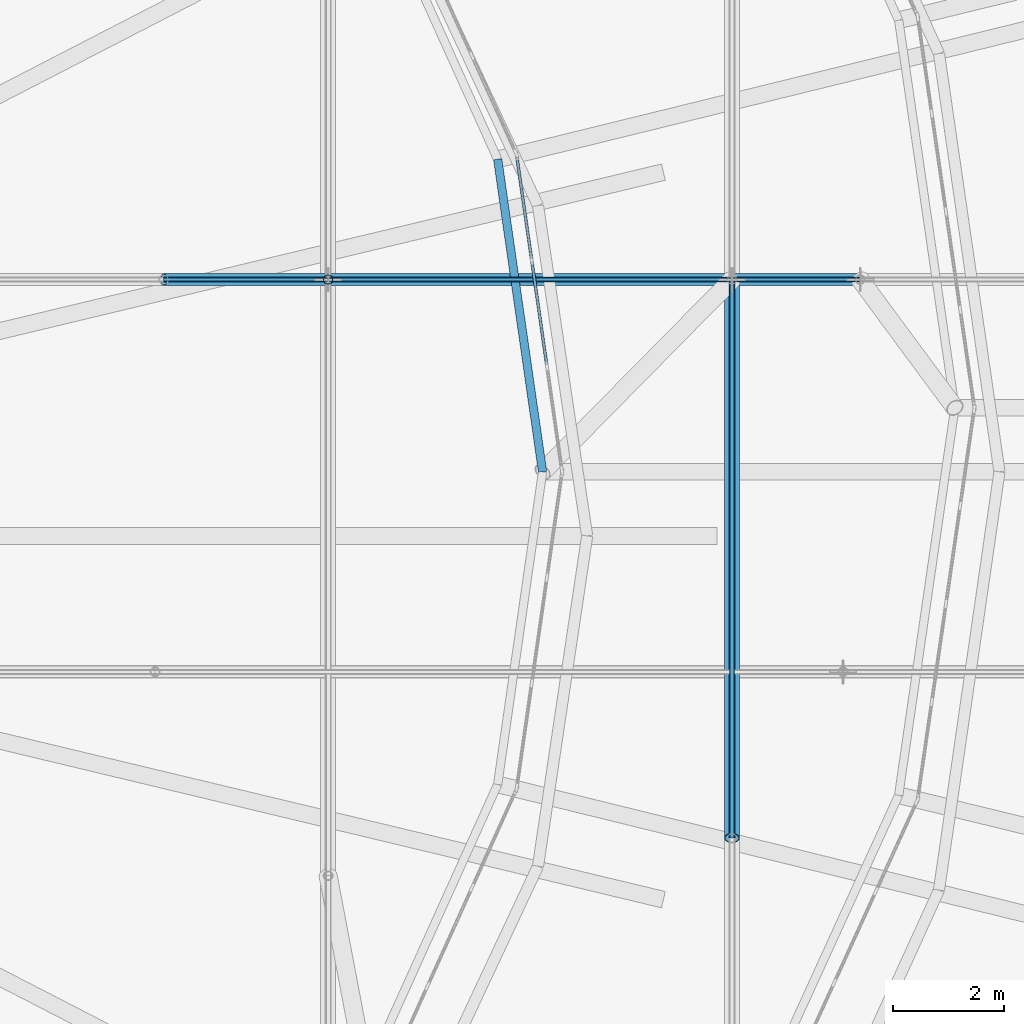
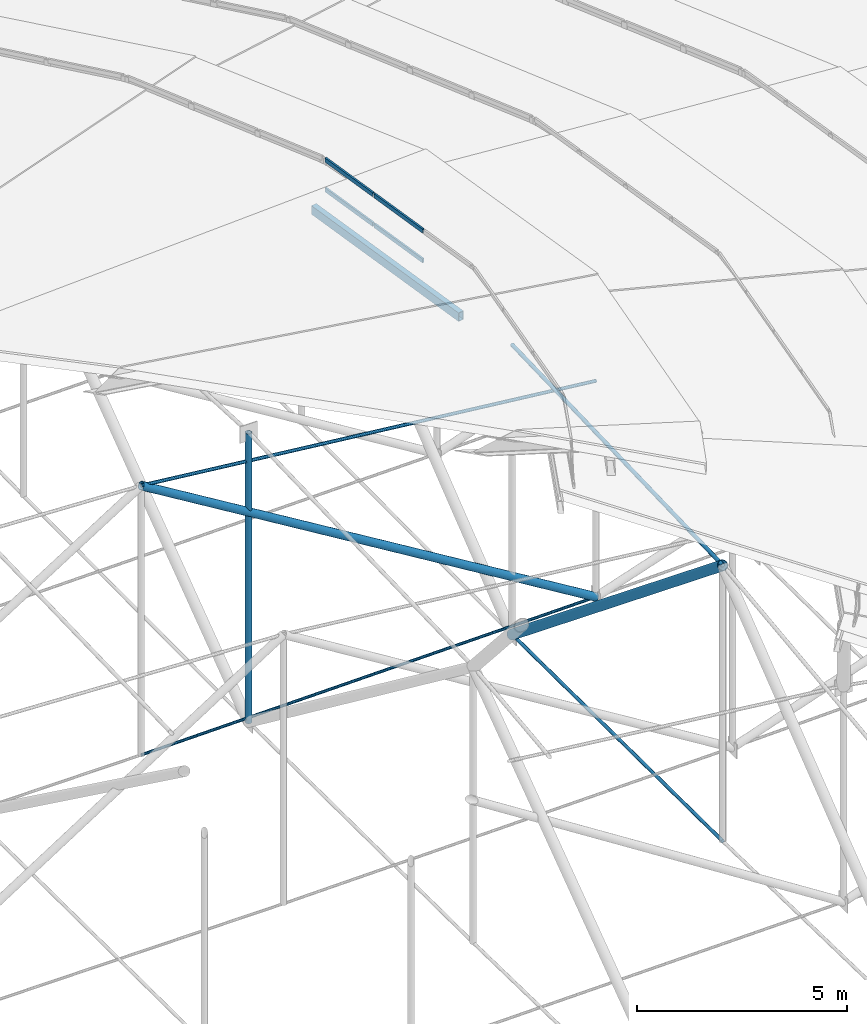
# One storey, part 87 of 173: 12 members, 1 element without a shape of its own.
"""IFC4 building model written with IfcOpenShell, lengths in metres."""

from ifc_helpers import new_model, si_unit, direction, frame, origin, origin_2d, place, context, subcontext, project, spatial, rectangle, hollow_rectangle, circle, hollow_circle, extrude, material, material_profile, profile_set, type_object, element, aggregate, save


model = new_model("IFC4")

# Units and contexts
model_context = context("Model", 3, precision=1e-05, world=origin(), true_north=direction((0.0, 1.0)))
body_context = subcontext(model_context, "Body", "Model", "MODEL_VIEW")
ifc_project = project(units=[si_unit("LENGTHUNIT", "METRE"), si_unit("AREAUNIT", "SQUARE_METRE"), si_unit("VOLUMEUNIT", "CUBIC_METRE"), si_unit("PLANEANGLEUNIT", "RADIAN"), si_unit("MASSUNIT", "GRAM", prefix="KILO")], contexts=[model_context])

# Site, building, storey
site_placement = place(None, origin())
site = spatial("IfcSite", under=ifc_project, at=site_placement, CompositionType="ELEMENT")
building_placement = place(site_placement, origin())
building = spatial("IfcBuilding", under=site, at=building_placement, Name="Glasvene Arena", CompositionType="ELEMENT")
storey_placement = place(building_placement, frame((0.0, 0.0, 28.800048828125)))
storey = spatial("IfcBuildingStorey", under=building, at=storey_placement, Name="RF", CompositionType="ELEMENT", Elevation=28.800048828125)

# Curtain wall, members
ifc_material_1 = material(Name="Low-emissivity laminated double glazing", Category="glass")
curtain_wall_type = type_object("IfcCurtainWallType", Name="CW-PET4-575x92", PredefinedType="USERDEFINED", material=ifc_material_1)
curtain_wall_placement = place(storey_placement, frame((111.64990234375, 69.550048828125, 0.0)))
curtain_wall = element("IfcCurtainWall", 1, at=curtain_wall_placement, inside=storey, type_object=curtain_wall_type, Name="Petal ring 4-5 clerestory curtain wall 01", ObjectType="CURTAIN WALL", PredefinedType="USERDEFINED")
ifc_material_2 = material(Name="Anodised architectural aluminium", Category="aluminium")
ifc_material_profile_1 = material_profile(ifc_material_2, rectangle(XDim=0.050048828125, YDim=0.1201171875, at=origin_2d()), Name="ALU TRANSOM 50x120")
ifc_profile_set_1 = profile_set([ifc_material_profile_1], Name="Anodised architectural aluminium")
member_type_1 = type_object("IfcMemberType", Name="CW-TRN-120", PredefinedType="USERDEFINED", material=ifc_profile_set_1)
member_1_placement = place(storey_placement, frame((111.373779296875, 71.47265625, 10.554931640625), z_axis=(-0.142098480585, 0.989852525286, 0.0), x_axis=(-0.989852525286, -0.142098480585, 0.0)))
member_1 = element("IfcMember", 2, at=member_1_placement, type_object=member_type_1, Name="CW-099 transom 2.1", ObjectType="TRANSOM", PredefinedType="USERDEFINED", context=body_context, shape_type="SweptSolid", body=[
    extrude(rectangle(XDim=0.050048828125, YDim=0.1201171875, at=origin_2d()), origin(), (0.0, 0.0, 1.0), 1.86767578125),
])
member_2_placement = place(storey_placement, frame((111.373779296875, 71.47265625, 11.4208984375), z_axis=(-0.142098480585, 0.989852525286, 0.0), x_axis=(-0.989852525286, -0.142098480585, 0.0)))
member_2 = element("IfcMember", 3, at=member_2_placement, type_object=member_type_1, Name="CW-099 transom 2.2", ObjectType="TRANSOM", PredefinedType="USERDEFINED", context=body_context, shape_type="SweptSolid", body=[
    extrude(rectangle(XDim=0.050048828125, YDim=0.1201171875, at=origin_2d()), origin(), (0.0, 0.0, 1.0), 1.86767578125),
])
member_3_placement = place(storey_placement, frame((111.101318359375, 73.370849609375, 10.554931640625), z_axis=(-0.14218191486, 0.989840544273, 0.0), x_axis=(-0.989840544273, -0.14218191486, 0.0)))
member_3 = element("IfcMember", 4, at=member_3_placement, type_object=member_type_1, Name="CW-099 transom 3.1", ObjectType="TRANSOM", PredefinedType="USERDEFINED", context=body_context, shape_type="SweptSolid", body=[
    extrude(rectangle(XDim=0.050048828125, YDim=0.1201171875, at=origin_2d()), origin(), (0.0, 0.0, 1.0), 1.842529296875),
])
member_4_placement = place(storey_placement, frame((111.101318359375, 73.370849609375, 11.4208984375), z_axis=(-0.14218191486, 0.989840544273, 0.0), x_axis=(-0.989840544273, -0.14218191486, 0.0)))
member_4 = element("IfcMember", 5, at=member_4_placement, type_object=member_type_1, Name="CW-099 transom 3.2", ObjectType="TRANSOM", PredefinedType="USERDEFINED", context=body_context, shape_type="SweptSolid", body=[
    extrude(rectangle(XDim=0.050048828125, YDim=0.1201171875, at=origin_2d()), origin(), (0.0, 0.0, 1.0), 1.842529296875),
])
aggregate(curtain_wall, [member_1, member_2, member_3, member_4])

# Members
ifc_material_3 = material(Name="High-strength steel spiral strand S460", Category="steel")
ifc_material_profile_2 = material_profile(ifc_material_3, circle(Radius=0.052490234375, at=origin_2d()), Name="LCSS D105")
ifc_profile_set_2 = profile_set([ifc_material_profile_2], Name="High-strength steel spiral strand S460")
member_type_2 = type_object("IfcMemberType", Name="MB-CABLE-105", PredefinedType="USERDEFINED", material=ifc_profile_set_2)
member_5_placement = place(storey_placement, frame((114.699462890625, 62.976318359375, 5.6904296875), z_axis=(0.0, 0.999459854041, 0.032863355894), x_axis=(-1.0, 0.0, 0.0)))
element("IfcMember", 6, at=member_5_placement, inside=storey, type_object=member_type_2, Name="Upper lens roof cable NS02-04", ObjectType="ROOF CABLE", PredefinedType="USERDEFINED", context=body_context, shape_type="SweptSolid", body=[
    extrude(circle(Radius=0.052490234375, at=origin_2d()), origin(), (0.0, 0.0, 1.0), 10.029052734375),
])
ifc_material_profile_3 = material_profile(ifc_material_3, circle(Radius=0.03759765625, at=origin_2d()), Name="LCSS D75")
ifc_profile_set_3 = profile_set([ifc_material_profile_3], Name="High-strength steel spiral strand S460")
member_type_3 = type_object("IfcMemberType", Name="MB-CABLE-75", PredefinedType="USERDEFINED", material=ifc_profile_set_3)
member_6_placement = place(storey_placement, frame((104.5, 73.0, -2.328125), z_axis=(0.999851319291, 0.0, 0.017243529589), x_axis=(0.0, 1.0, 0.0)))
element("IfcMember", 7, at=member_6_placement, inside=storey, type_object=member_type_3, Name="Lower stabilization roof cable EW04-06", ObjectType="ROOF CABLE", PredefinedType="USERDEFINED", context=body_context, shape_type="SweptSolid", body=[
    extrude(circle(Radius=0.03759765625, at=origin_2d()), origin(), (0.0, 0.0, 1.0), 12.501953125),
])
ifc_material_profile_4 = material_profile(ifc_material_3, circle(Radius=0.044921875, at=origin_2d()), Name="LCSS D90")
ifc_profile_set_4 = profile_set([ifc_material_profile_4], Name="High-strength steel spiral strand S460")
member_type_4 = type_object("IfcMemberType", Name="MB-CABLE-90", PredefinedType="USERDEFINED", material=ifc_profile_set_4)
member_7_placement = place(storey_placement, frame((114.699462890625, 62.976318359375, -2.328125), z_axis=(0.0, 0.999974187932, -0.007184947401), x_axis=(-1.0, 0.0, 0.0)))
element("IfcMember", 8, at=member_7_placement, inside=storey, type_object=member_type_4, Name="Lower stabilization roof cable NS02-04", ObjectType="ROOF CABLE", PredefinedType="USERDEFINED", context=body_context, shape_type="SweptSolid", body=[
    extrude(circle(Radius=0.044921875, at=origin_2d()), origin(), (0.0, 0.0, 1.0), 10.02392578125),
])
member_8_placement = place(storey_placement, frame((104.5, 73.0, 5.499267578125), z_axis=(0.994368073016, 0.0, -0.105981769032), x_axis=(0.0, 1.0, 0.0)))
element("IfcMember", 9, at=member_8_placement, inside=storey, type_object=member_type_4, Name="Upper lens roof cable EW04-06", ObjectType="ROOF CABLE", PredefinedType="USERDEFINED", context=body_context, shape_type="SweptSolid", body=[
    extrude(circle(Radius=0.044921875, at=origin_2d()), origin(), (0.0, 0.0, 1.0), 12.57080078125),
])
ifc_material_4 = material(Name="Steel S355J2", Category="steel")
ifc_material_profile_5 = material_profile(ifc_material_4, hollow_rectangle(XDim=0.14990234375, YDim=0.25, WallThickness=0.010009765625, at=origin_2d()), Name="RHS 250x150x10.0")
ifc_profile_set_5 = profile_set([ifc_material_profile_5], Name="Steel S355J2")
member_type_5 = type_object("IfcMemberType", Name="MB-PURLIN-RHS250", PredefinedType="PURLIN", material=ifc_profile_set_5)
member_9_placement = place(storey_placement, frame((111.300048828125, 69.550048828125, 10.1318359375), z_axis=(-0.142193231666, 0.989838918647, 0.0), x_axis=(-0.989838918647, -0.142193231666, 0.0)))
element("IfcMember", 10, at=member_9_placement, inside=storey, type_object=member_type_5, Name="Petal ring 4 ridge purlin 01", PredefinedType="PURLIN", context=body_context, shape_type="SweptSolid", body=[
    extrude(hollow_rectangle(XDim=0.14990234375, YDim=0.25, WallThickness=0.010009765625, at=origin_2d()), origin(), (0.0, 0.0, 1.0), 5.667724609375),
])
ifc_material_profile_6 = material_profile(ifc_material_4, hollow_circle(Radius=0.084228515625, WallThickness=0.008056640625, at=origin_2d()), Name="CHS 168.3x8.0")
ifc_profile_set_6 = profile_set([ifc_material_profile_6], Name="Steel S355J2")
member_type_6 = type_object("IfcMemberType", Name="MB-WEB-CHS168", PredefinedType="BRACE", material=ifc_profile_set_6)
member_10_placement = place(storey_placement, frame((107.45068359375, 73.0, -2.400146484375), z_axis=(0.0, 0.0, 1.0), x_axis=(1.0, 0.0, 0.0)))
element("IfcMember", 11, at=member_10_placement, inside=storey, type_object=member_type_6, Name="Cable-truss vertical strut NS03-04", PredefinedType="BRACE", context=body_context, shape_type="SweptSolid", body=[
    extrude(hollow_circle(Radius=0.084228515625, WallThickness=0.008056640625, at=origin_2d()), origin(), (0.0, 0.0, 1.0), 8.420166015625),
])
ifc_material_profile_7 = material_profile(ifc_material_4, hollow_circle(Radius=0.109619140625, WallThickness=0.010009765625, at=origin_2d()), Name="CHS 219.1x10.0")
ifc_profile_set_7 = profile_set([ifc_material_profile_7], Name="Steel S355J2")
member_type_7 = type_object("IfcMemberType", Name="MB-WEB-CHS219", PredefinedType="BRACE", material=ifc_profile_set_7)
member_11_placement = place(storey_placement, frame((104.5, 73.0, 5.499267578125), z_axis=(0.854103835319, 0.0, -0.520102526906), x_axis=(0.0, 1.0, 0.0)))
element("IfcMember", 12, at=member_11_placement, inside=storey, type_object=member_type_7, Name="Cable-truss diagonal web strut EW04-06", PredefinedType="BRACE", context=body_context, shape_type="SweptSolid", body=[
    extrude(hollow_circle(Radius=0.109619140625, WallThickness=0.010009765625, at=origin_2d()), origin(), (0.0, 0.0, 1.0), 14.63525390625),
])
ifc_material_profile_8 = material_profile(ifc_material_4, hollow_circle(Radius=0.136474609375, WallThickness=0.012451171875, at=origin_2d()), Name="CHS 273.0x12.5")
ifc_profile_set_8 = profile_set([ifc_material_profile_8], Name="Steel S355J2")
member_type_8 = type_object("IfcMemberType", Name="MB-WEB-CHS273", PredefinedType="BRACE", material=ifc_profile_set_8)
member_12_placement = place(storey_placement, frame((114.699462890625, 62.976318359375, 5.6904296875), z_axis=(0.0, 0.778148872918, -0.628079876748), x_axis=(-1.0, 0.0, 0.0)))
element("IfcMember", 13, at=member_12_placement, inside=storey, type_object=member_type_8, Name="Cable-truss diagonal web strut NS02-04", PredefinedType="BRACE", context=body_context, shape_type="SweptSolid", body=[
    extrude(hollow_circle(Radius=0.136474609375, WallThickness=0.012451171875, at=origin_2d()), origin(), (0.0, 0.0, 1.0), 12.88134765625),
])

save(model, "model.ifc")
